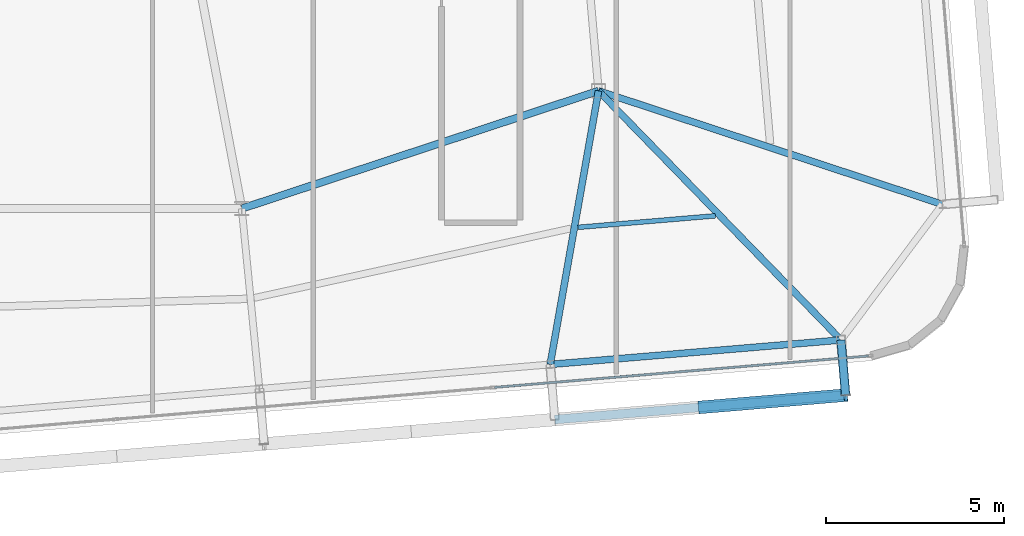
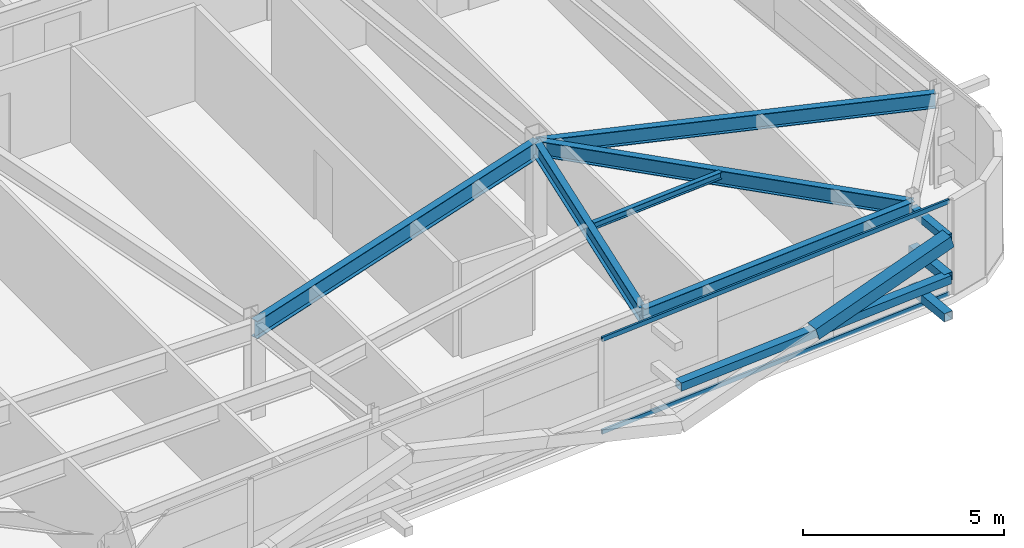
# One storey, part 17 of 39: 7 members, 6 beams, 1 element without a shape of its own.
"""IFC4 building model written with IfcOpenShell, lengths in metres."""

from ifc_helpers import new_model, si_unit, direction, frame, origin, origin_2d, place, context, subcontext, project, spatial, hollow_rectangle, i_section, extrude, source, transform, mapped, material, layer, layer_set, material_profile, profile_set, type_object, element, aggregate, save


model = new_model("IFC4")

# Units and contexts
model_context = context("Model", 3, precision=1e-05, world=origin(), true_north=direction((0.0, 1.0)))
body_context = subcontext(model_context, "Body", "Model", "MODEL_VIEW")
ifc_project = project(units=[si_unit("LENGTHUNIT", "METRE"), si_unit("AREAUNIT", "SQUARE_METRE"), si_unit("VOLUMEUNIT", "CUBIC_METRE"), si_unit("PLANEANGLEUNIT", "RADIAN"), si_unit("MASSUNIT", "GRAM", prefix="KILO")], contexts=[model_context])

# Site, building, storey
site_placement = place(None, origin())
site = spatial("IfcSite", under=ifc_project, at=site_placement, CompositionType="ELEMENT")
building_placement = place(site_placement, origin())
building = spatial("IfcBuilding", under=site, at=building_placement, Name="Taldren Reach Tower", CompositionType="ELEMENT")
storey_placement = place(building_placement, frame((0.0, 0.0, 204.050048828125)))
storey = spatial("IfcBuildingStorey", under=building, at=storey_placement, Name="L62", CompositionType="ELEMENT", Elevation=204.050048828125)

# Beam
ifc_material_1 = material(Name="Steel Gr 350 (350PLUS)", Category="steel")
ifc_material_profile_1 = material_profile(ifc_material_1, i_section(OverallWidth=0.208984375, OverallDepth=0.532958984375, WebThickness=0.01025390625, FlangeThickness=0.015625, at=origin_2d()), Name="530UB92.4")
ifc_profile_set_1 = profile_set([ifc_material_profile_1], Name="Steel Gr 350 (350PLUS)")
beam_type_1 = type_object("IfcBeamType", Name="BM-UB530A", PredefinedType="BEAM", material=ifc_profile_set_1)
shared_shape_1 = source(origin(), body_context, "Body", "SweptSolid", [
    extrude(i_section(OverallWidth=0.208984375, OverallDepth=0.532958984375, WebThickness=0.01025390625, FlangeThickness=0.015625, at=origin_2d()), origin(), (0.0, 0.0, 1.0), 10.530517578125),
])
beam_1_placement = place(storey_placement, frame((42.0, 9.199951171875, 2.603515625), z_axis=(0.949627269203, 0.313381635689, 0.0), x_axis=(-0.313381635689, 0.949627269203, 0.0)))
element("IfcBeam", 1, at=beam_1_placement, inside=storey, type_object=beam_type_1, Name="Core-spine girder L62-SP12", PredefinedType="BEAM", context=body_context, shape_type="MappedRepresentation", body=[
    mapped(shared_shape_1, transform((0.0, 0.0, 0.0), scale=1.0)),
])

# Members
ifc_material_2 = material(Name="Steel Gr 350 (C350L0)", Category="steel")
ifc_material_profile_2 = material_profile(ifc_material_2, hollow_rectangle(XDim=0.25, YDim=0.25, WallThickness=0.010009765625, at=origin_2d()), Name="250x250x10.0SHS")
ifc_profile_set_2 = profile_set([ifc_material_profile_2], Name="Steel Gr 350 (C350L0)")
member_type_1 = type_object("IfcMemberType", Name="MB-POST250", PredefinedType="POST", material=ifc_profile_set_2)
shared_shape_2 = source(origin(), body_context, "Body", "SweptSolid", [
    extrude(hollow_rectangle(XDim=0.25, YDim=0.25, WallThickness=0.010009765625, at=origin_2d()), origin(), (0.0, 0.0, 1.0), 1.5498046875),
])
for number, where, z_axis, x_axis, name in (
    (2, (58.796142578125, 5.516357421875, 0.219970703125), (0.083801560254, -0.996482462715, 0.0), (0.996482462715, 0.083801560254, 0.0), "Exoskeleton base diaphragm tie strut B4-S6 L62"),
    (3, (58.796142578125, 5.516357421875, 1.405029296875), (0.083801560254, -0.996482462715, 0.0), (0.996482462715, 0.083801560254, 0.0), "Exoskeleton mid-tier diaphragm tie B4-S6 L62"),
):
    element("IfcMember", number, at=place(storey_placement, frame(where, z_axis=z_axis, x_axis=x_axis)), inside=storey, type_object=member_type_1, Name=name, PredefinedType="POST", context=body_context, shape_type="MappedRepresentation", body=[
        mapped(shared_shape_2, transform((0.0, 0.0, 0.0), scale=1.0)),
    ])

# Beams
ifc_material_profile_3 = material_profile(ifc_material_1, i_section(OverallWidth=0.18994140625, OverallDepth=0.4541015625, WebThickness=0.008544921875, FlangeThickness=0.0126953125, at=origin_2d()), Name="460UB67.1")
ifc_profile_set_3 = profile_set([ifc_material_profile_3], Name="Steel Gr 350 (350PLUS)")
beam_type_2 = type_object("IfcBeamType", Name="SP-UB460B", PredefinedType="SPANDREL", material=ifc_profile_set_3)
shared_shape_3 = source(origin(), body_context, "Body", "SweptSolid", [
    extrude(i_section(OverallWidth=0.18994140625, OverallDepth=0.4541015625, WebThickness=0.008544921875, FlangeThickness=0.0126953125, at=origin_2d()), origin(), (0.0, 0.0, 1.0), 8.179931640625),
])
beam_2_placement = place(storey_placement, frame((50.644775390625, 4.83203125, 2.64306640625), z_axis=(0.996494523218, 0.083658025296, 0.0), x_axis=(-0.083658025296, 0.996494523218, 0.0)))
element("IfcBeam", 4, at=beam_2_placement, inside=storey, type_object=beam_type_2, Name="Perimeter spandrel B4 S5-S6 L62", PredefinedType="SPANDREL", context=body_context, shape_type="MappedRepresentation", body=[
    mapped(shared_shape_3, transform((0.0, 0.0, 0.0), scale=1.0)),
])
ifc_material_profile_4 = material_profile(ifc_material_1, i_section(OverallWidth=0.19091796875, OverallDepth=0.4599609375, WebThickness=0.010009765625, FlangeThickness=0.01611328125, at=origin_2d()), Name="460UB82.1")
ifc_profile_set_4 = profile_set([ifc_material_profile_4], Name="Steel Gr 350 (350PLUS)")
beam_type_3 = type_object("IfcBeamType", Name="BM-UB460A", PredefinedType="BEAM", material=ifc_profile_set_4)
shared_shape_4 = source(origin(), body_context, "Body", "SweptSolid", [
    extrude(i_section(OverallWidth=0.19091796875, OverallDepth=0.4599609375, WebThickness=0.010009765625, FlangeThickness=0.01611328125, at=origin_2d()), origin(), (0.0, 0.0, 1.0), 7.786865234375),
])
beam_3_placement = place(storey_placement, frame((52.0, 12.5, 2.639892578125), z_axis=(-0.174041097858, -0.984738389755, 0.0), x_axis=(0.984738389755, -0.174041097858, 0.0)))
element("IfcBeam", 5, at=beam_3_placement, inside=storey, type_object=beam_type_3, Name="Primary floor girder B4-S5 L62", PredefinedType="BEAM", context=body_context, shape_type="MappedRepresentation", body=[
    mapped(shared_shape_4, transform((0.0, 0.0, 0.0), scale=1.0)),
])
shared_shape_5 = source(origin(), body_context, "Body", "SweptSolid", [
    extrude(i_section(OverallWidth=0.19091796875, OverallDepth=0.4599609375, WebThickness=0.010009765625, FlangeThickness=0.01611328125, at=origin_2d()), origin(), (0.0, 0.0, 1.0), 9.74462890625),
])
beam_4_placement = place(storey_placement, frame((52.0, 12.5, 2.639892578125), z_axis=(0.697420698235, -0.716661963323, 0.0), x_axis=(0.716661963323, 0.697420698235, 0.0)))
element("IfcBeam", 6, at=beam_4_placement, inside=storey, type_object=beam_type_3, Name="Primary floor girder B4-S6 L62", PredefinedType="BEAM", context=body_context, shape_type="MappedRepresentation", body=[
    mapped(shared_shape_5, transform((0.0, 0.0, 0.0), scale=1.0)),
])
shared_shape_6 = source(origin(), body_context, "Body", "SweptSolid", [
    extrude(i_section(OverallWidth=0.19091796875, OverallDepth=0.4599609375, WebThickness=0.010009765625, FlangeThickness=0.01611328125, at=origin_2d()), origin(), (0.0, 0.0, 1.0), 10.14990234375),
])
beam_5_placement = place(storey_placement, frame((52.0, 12.5, 2.639892578125), z_axis=(0.949576668396, -0.313534927619, 0.0), x_axis=(0.313534927619, 0.949576668396, 0.0)))
element("IfcBeam", 7, at=beam_5_placement, inside=storey, type_object=beam_type_3, Name="Primary floor girder B4-E1 L62", PredefinedType="BEAM", context=body_context, shape_type="MappedRepresentation", body=[
    mapped(shared_shape_6, transform((0.0, 0.0, 0.0), scale=1.0)),
])
ifc_material_3 = material(Name="Steel Gr 300 (300PLUS, 300 MPa)", Category="steel")
ifc_material_profile_5 = material_profile(ifc_material_3, i_section(OverallWidth=0.134033203125, OverallDepth=0.20703125, WebThickness=0.00634765625, FlangeThickness=0.009521484375, at=origin_2d()), Name="200UB29.8")
ifc_profile_set_5 = profile_set([ifc_material_profile_5], Name="Steel Gr 300 (300PLUS, 300 MPa)")
beam_type_4 = type_object("IfcBeamType", Name="JS-UB200", PredefinedType="JOIST", material=ifc_profile_set_5)
shared_shape_7 = source(origin(), body_context, "Body", "SweptSolid", [
    extrude(i_section(OverallWidth=0.134033203125, OverallDepth=0.20703125, WebThickness=0.00634765625, FlangeThickness=0.009521484375, at=origin_2d()), origin(), (0.0, 0.0, 1.0), 3.86767578125),
])
beam_6_placement = place(storey_placement, frame((51.4208984375, 8.67431640625, 2.766357421875), z_axis=(0.996495950743, 0.083641019557, 0.0), x_axis=(-0.083641019557, 0.996495950743, 0.0)))
element("IfcBeam", 8, at=beam_6_placement, inside=storey, type_object=beam_type_4, Name="Secondary floor joist B4 J5 L62", PredefinedType="JOIST", context=body_context, shape_type="MappedRepresentation", body=[
    mapped(shared_shape_7, transform((0.0, 0.0, 0.0), scale=1.0)),
])

# Members
ifc_material_4 = material(Name="Steel Gr 450 (C450L0)", Category="steel")
ifc_material_profile_6 = material_profile(ifc_material_4, hollow_rectangle(XDim=0.219970703125, YDim=0.219970703125, WallThickness=0.00830078125, at=origin_2d()), Name="220x220x8.2SHS")
ifc_profile_set_6 = profile_set([ifc_material_profile_6], Name="Steel Gr 450 (C450L0)")
member_type_2 = type_object("IfcMemberType", Name="MB-TIE219", PredefinedType="STRUT", material=ifc_profile_set_6)
shared_shape_8 = source(origin(), body_context, "Body", "SweptSolid", [
    extrude(hollow_rectangle(XDim=0.219970703125, YDim=0.219970703125, WallThickness=0.00830078125, at=origin_2d()), origin(), (0.0, 0.0, 1.0), 1.5498046875),
])
member_1_placement = place(storey_placement, frame((58.796142578125, 5.516357421875, 2.58984375), z_axis=(0.083801560254, -0.996482462715, 0.0), x_axis=(0.996482462715, 0.083801560254, 0.0)))
element("IfcMember", 9, at=member_1_placement, inside=storey, type_object=member_type_2, Name="Exoskeleton diaphragm tie strut B4-S6 L62", PredefinedType="STRUT", context=body_context, shape_type="MappedRepresentation", body=[
    mapped(shared_shape_8, transform((0.0, 0.0, 0.0), scale=1.0)),
])
shared_shape_9 = source(origin(), body_context, "Body", "SweptSolid", [
    extrude(hollow_rectangle(XDim=0.25, YDim=0.25, WallThickness=0.010009765625, at=origin_2d()), origin(), (0.0, 0.0, 1.0), 8.18017578125),
])
member_2_placement = place(storey_placement, frame((50.774658203125, 3.287353515625, 1.405029296875), z_axis=(0.996492034688, 0.083687662192, 0.0), x_axis=(-0.083687662192, 0.996492034688, 0.0)))
element("IfcMember", 10, at=member_2_placement, inside=storey, type_object=member_type_1, Name="Exoskeleton mid-height ring chord B4-S5 L62", PredefinedType="POST", context=body_context, shape_type="MappedRepresentation", body=[
    mapped(shared_shape_9, transform((0.0, 0.0, 0.0), scale=1.0)),
])
ifc_material_profile_7 = material_profile(ifc_material_4, hollow_rectangle(XDim=0.360107421875, YDim=0.360107421875, WallThickness=0.0126953125, at=origin_2d()), Name="360x360x12.7SHS")
ifc_profile_set_7 = profile_set([ifc_material_profile_7], Name="Steel Gr 450 (C450L0)")
member_type_3 = type_object("IfcMemberType", Name="MB-EXO356", PredefinedType="BRACE", material=ifc_profile_set_7)
shared_shape_10 = source(origin(), body_context, "Body", "SweptSolid", [
    extrude(hollow_rectangle(XDim=0.360107421875, YDim=0.360107421875, WallThickness=0.0126953125, at=origin_2d()), origin(), (0.0, 0.0, 1.0), 4.25830078125),
])
member_3_placement = place(storey_placement, frame((54.850341796875, 3.629638671875, 1.405029296875), z_axis=(0.957140989668, 0.080382872141, 0.278243993223), x_axis=(-0.083687662192, 0.996492034688, 0.0)))
element("IfcMember", 11, at=member_3_placement, inside=storey, type_object=member_type_3, Name="Exoskeleton Diagrid Brace B4-S5 L62", PredefinedType="BRACE", context=body_context, shape_type="MappedRepresentation", body=[
    mapped(shared_shape_10, transform((0.0, 0.0, 0.0), scale=1.0)),
])

# Curtain wall, members
ifc_material_5 = material(Name="Aluminium and Low-E Glass Unitised System", Category="aluminium")
ifc_layer = layer(ifc_material_5, 0.159912109375)
ifc_layer_set = layer_set([ifc_layer], Name="Aluminium and Low-E Glass Unitised System")
curtain_wall_type = type_object("IfcCurtainWallType", Name="CW-SYS-5", PredefinedType="NOTDEFINED", material=ifc_layer_set)
curtain_wall_placement = place(storey_placement, origin())
curtain_wall = element("IfcCurtainWall", 12, at=curtain_wall_placement, inside=storey, type_object=curtain_wall_type, Name="Unitised curtain wall CW-L62-S", PredefinedType="NOTDEFINED")
ifc_material_6 = material(Name="Anodised Aluminium 6063-T6", Category="aluminium")
ifc_material_profile_8 = material_profile(ifc_material_6, hollow_rectangle(XDim=0.06005859375, YDim=0.135009765625, WallThickness=0.00341796875, at=origin_2d()), Name="ALU-135x60x3.5RHS")
ifc_profile_set_8 = profile_set([ifc_material_profile_8], Name="Anodised Aluminium 6063-T6")
member_type_4 = type_object("IfcMemberType", Name="CW-TRN-150", PredefinedType="USERDEFINED", material=ifc_profile_set_8)
shared_shape_11 = source(origin(), body_context, "Body", "SweptSolid", [
    extrude(hollow_rectangle(XDim=0.06005859375, YDim=0.135009765625, WallThickness=0.00341796875, at=origin_2d()), origin(), (0.0, 0.0, 1.0), 10.52001953125),
])
member_4_placement = place(storey_placement, frame((49.083251953125, 4.18896484375, 0.030029296875), z_axis=(0.996492256575, 0.08368502008, 0.0), x_axis=(-0.08368502008, 0.996492256575, 0.0)))
member_4 = element("IfcMember", 13, at=member_4_placement, type_object=member_type_4, Name="CW-5 transom 4.1", ObjectType="TRANSOM", PredefinedType="USERDEFINED", context=body_context, shape_type="MappedRepresentation", body=[
    mapped(shared_shape_11, transform((0.0, 0.0, 0.0), scale=1.0)),
])
member_5_placement = place(storey_placement, frame((49.083251953125, 4.18896484375, 2.83984375), z_axis=(0.996492256575, 0.08368502008, 0.0), x_axis=(-0.08368502008, 0.996492256575, 0.0)))
member_5 = element("IfcMember", 14, at=member_5_placement, type_object=member_type_4, Name="CW-5 transom 4.2", ObjectType="TRANSOM", PredefinedType="USERDEFINED", context=body_context, shape_type="MappedRepresentation", body=[
    mapped(shared_shape_11, transform((0.0, 0.0, 0.0), scale=1.0)),
])
aggregate(curtain_wall, [member_4, member_5])

save(model, "model.ifc")
